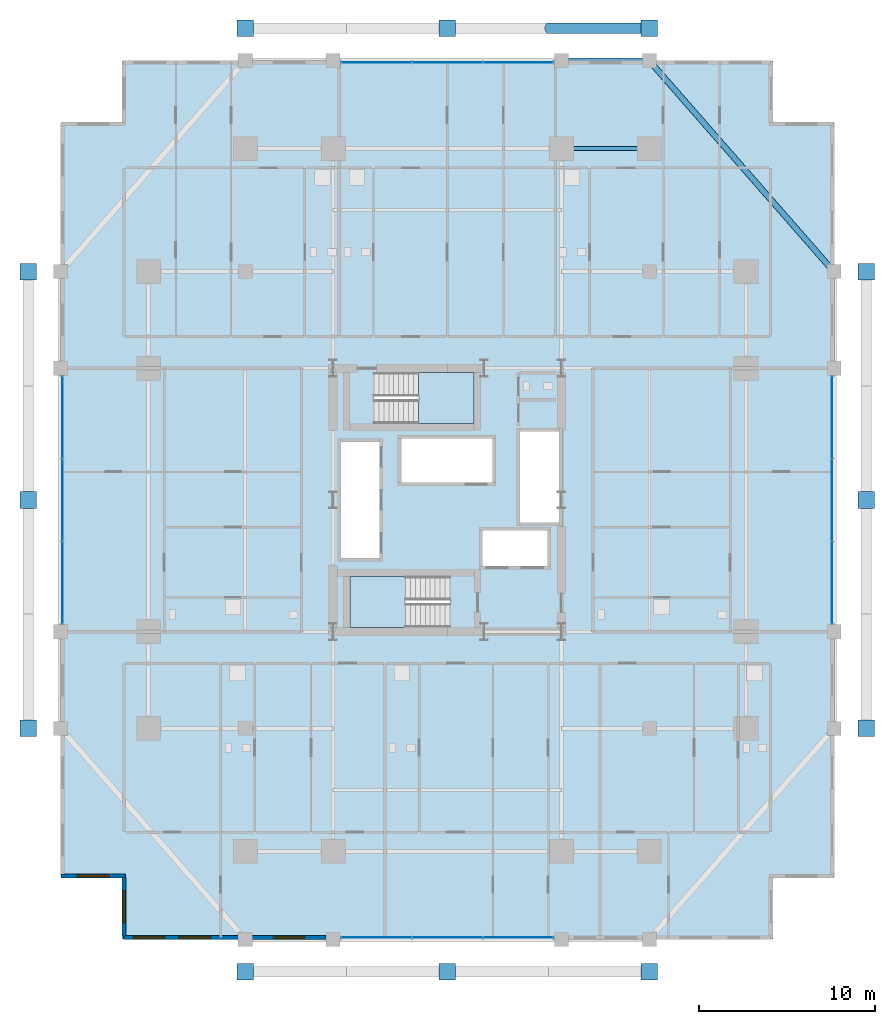
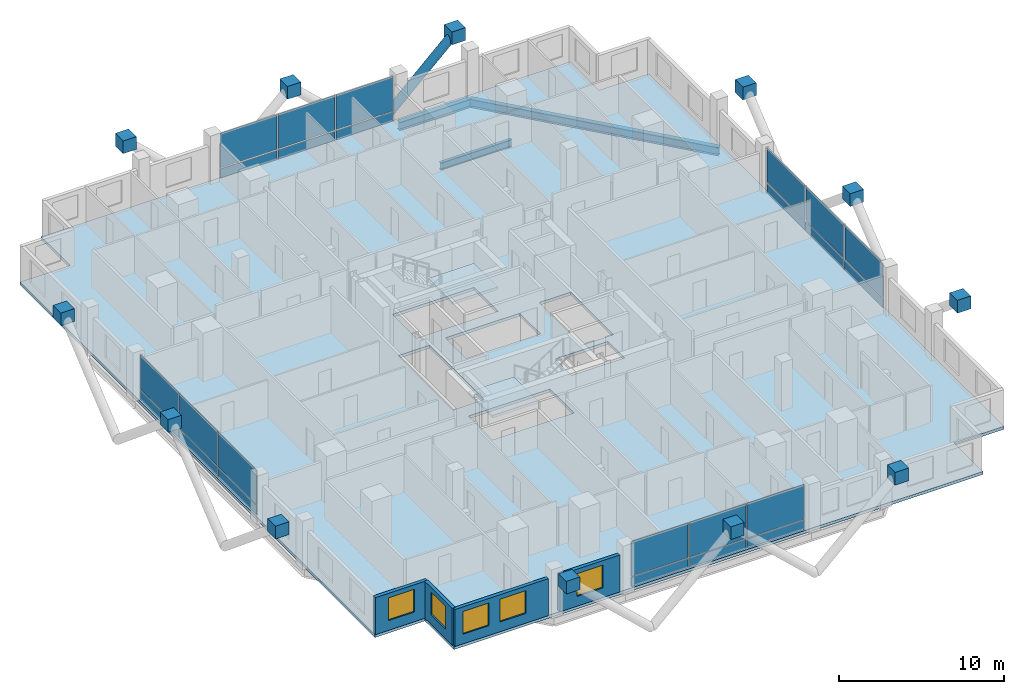
# One storey, part 16 of 24: 36 plates, 5 windows, 4 walls, 3 beams, 3 slabs, 1 member, 5 openings, 6 elements without a shape of their own.
"""IFC4 building model written with IfcOpenShell, lengths in metres."""

from ifc_helpers import new_model, si_unit, direction, frame, frame_2d, origin, origin_2d, place, context, subcontext, project, spatial, polyline, rectangle, hollow_circle, i_section, outline, extrude, material, layer, layer_set, material_profile, profile_set, type_object, element, fill, aggregate, save


model = new_model("IFC4")

# Units and contexts
model_context = context("Model", 3, precision=1e-05, world=origin(), true_north=direction((0.0, 1.0)))
body_context = subcontext(model_context, "Body", "Model", "MODEL_VIEW")
ifc_project = project(units=[si_unit("LENGTHUNIT", "METRE"), si_unit("AREAUNIT", "SQUARE_METRE"), si_unit("VOLUMEUNIT", "CUBIC_METRE"), si_unit("PLANEANGLEUNIT", "RADIAN"), si_unit("MASSUNIT", "GRAM", prefix="KILO")], contexts=[model_context])

# Site, building, storey
site_placement = place(None, origin())
site = spatial("IfcSite", under=ifc_project, at=site_placement, CompositionType="ELEMENT")
building_placement = place(site_placement, origin())
building = spatial("IfcBuilding", under=site, at=building_placement, Name="Barlavira Tower and Art Museum", CompositionType="ELEMENT")
storey_placement = place(building_placement, frame((0.0, 0.0, 46.800048828125)))
storey = spatial("IfcBuildingStorey", under=building, at=storey_placement, Name="L10", CompositionType="ELEMENT", Elevation=46.800048828125)

# Member
ifc_material_1 = material(Name="Steel S355", Category="steel")
ifc_material_profile_1 = material_profile(ifc_material_1, hollow_circle(Radius=0.304931640625, WallThickness=0.028076171875, at=origin_2d()), Name="CHS 610.0x28.0")
ifc_profile_set_1 = profile_set([ifc_material_profile_1], Name="Steel S355")
member_type = type_object("IfcMemberType", Name="Pale-Metal Exoskeleton Diagrid Tube CHS 610x28 Steel S355", PredefinedType="BRACE", material=ifc_profile_set_1)
member_placement = place(storey_placement, frame((5.75, 26.85009765625, -1.920166015625), z_axis=(0.728934650808, 0.0, 0.684583285548), x_axis=(0.0, 1.0, 0.0)))
element("IfcMember", 1, at=member_placement, inside=storey, type_object=member_type, Name="L10 Exoskeleton Diagrid Tube N", PredefinedType="BRACE", context=body_context, shape_type="SweptSolid", body=[
    extrude(hollow_circle(Radius=0.304931640625, WallThickness=0.028076171875, at=origin_2d()), origin(), (0.0, 0.0, 1.0), 7.88818359375),
])

# Beams
ifc_material_profile_2 = material_profile(ifc_material_1, i_section(OverallWidth=0.327880859375, OverallDepth=0.62890625, WebThickness=0.013916015625, FlangeThickness=0.021484375, at=origin_2d()), Name="W610x174.0")
ifc_profile_set_2 = profile_set([ifc_material_profile_2], Name="Steel S355")
beam_type_1 = type_object("IfcBeamType", Name="Perimeter Spandrel Edge Beam W610x174 Steel S355", PredefinedType="SPANDREL", material=ifc_profile_set_2)
beam_1_placement = place(storey_placement, frame((22.0, 13.0, -0.53466796875), z_axis=(-0.658504607869, 0.752576694707, 0.0), x_axis=(-0.752576694707, -0.658504607869, 0.0)))
element("IfcBeam", 2, at=beam_1_placement, inside=storey, type_object=beam_type_1, Name="L10 Spandrel 8", PredefinedType="SPANDREL", context=body_context, shape_type="SweptSolid", body=[
    extrude(i_section(OverallWidth=0.327880859375, OverallDepth=0.62890625, WebThickness=0.013916015625, FlangeThickness=0.021484375, at=origin_2d()), origin(), (0.0, 0.0, 1.0), 15.9453125),
])
beam_2_placement = place(storey_placement, frame((6.5, 25.0, -0.53466796875), z_axis=(1.0, 0.0, 0.0), x_axis=(0.0, 1.0, 0.0)))
element("IfcBeam", 3, at=beam_2_placement, inside=storey, type_object=beam_type_1, Name="L10 Spandrel 9", PredefinedType="SPANDREL", context=body_context, shape_type="SweptSolid", body=[
    extrude(i_section(OverallWidth=0.327880859375, OverallDepth=0.62890625, WebThickness=0.013916015625, FlangeThickness=0.021484375, at=origin_2d()), origin(), (0.0, 0.0, 1.0), 5.0),
])
ifc_material_profile_3 = material_profile(ifc_material_1, i_section(OverallWidth=0.214111328125, OverallDepth=0.549072265625, WebThickness=0.0146484375, FlangeThickness=0.023681640625, at=origin_2d()), Name="W530x138.0")
ifc_profile_set_3 = profile_set([ifc_material_profile_3], Name="Steel S355")
beam_type_2 = type_object("IfcBeamType", Name="Zone 1 Primary Floor Girder W530x138 Steel S355", PredefinedType="BEAM", material=ifc_profile_set_3)
beam_3_placement = place(storey_placement, frame((6.5, 20.0, -0.49462890625), z_axis=(1.0, 0.0, 0.0), x_axis=(0.0, 1.0, 0.0)))
element("IfcBeam", 4, at=beam_3_placement, inside=storey, type_object=beam_type_2, Name="L10 Girder M-N3", PredefinedType="BEAM", context=body_context, shape_type="SweptSolid", body=[
    extrude(i_section(OverallWidth=0.214111328125, OverallDepth=0.549072265625, WebThickness=0.0146484375, FlangeThickness=0.023681640625, at=origin_2d()), origin(), (0.0, 0.0, 1.0), 5.0),
])

# Curtain wall, plates
ifc_material_2 = material(Name="Low-iron coastal laminated glass", Category="glass")
ifc_layer_1 = layer(ifc_material_2, 0.179931640625, Name="Low-iron coastal laminated glass")
ifc_layer_set_1 = layer_set([ifc_layer_1], Name="Low-iron coastal laminated glass")
curtain_wall_type = type_object("IfcCurtainWallType", Name="Pale-Metal Unitised Curtain Wall Zone 1", PredefinedType="NOTDEFINED", material=ifc_layer_set_1)
curtain_wall_1_placement = place(storey_placement, origin())
curtain_wall_1 = element("IfcCurtainWall", 5, at=curtain_wall_1_placement, inside=storey, type_object=curtain_wall_type, Name="L10 Curtain Wall CW1-L10-S-B3", PredefinedType="NOTDEFINED")
ifc_material_3 = material(Name="Pale anodised aluminium", Category="aluminium")
ifc_layer_2 = layer(ifc_material_3, 0.044921875, Name="Pale anodised aluminium")
ifc_layer_set_2 = layer_set([ifc_layer_2], Name="Pale anodised aluminium")
plate_type_1 = type_object("IfcPlateType", Name="Curtain Wall Pale-Metal Spandrel Panel 45", PredefinedType="CURTAIN_PANEL", material=ifc_layer_set_2)
plate_1_placement = place(storey_placement, frame((-4.05322265625, -24.89990234375, 0.0400390625), z_axis=(0.0, 0.0, 1.0), x_axis=(1.0, 0.0, 0.0)))
plate_1 = element("IfcPlate", 6, at=plate_1_placement, type_object=plate_type_1, Name="CW1-L10-S-B3 Spandrel Panel 0", PredefinedType="CURTAIN_PANEL", context=body_context, shape_type="SweptSolid", body=[
    extrude(rectangle(XDim=3.953369140625, YDim=0.044921875, at=origin_2d()), origin(), (0.0, 0.0, 1.0), 0.6640625),
])
plate_2_placement = place(storey_placement, frame((0.0, -24.89990234375, 0.0400390625), z_axis=(0.0, 0.0, 1.0), x_axis=(1.0, 0.0, 0.0)))
plate_2 = element("IfcPlate", 7, at=plate_2_placement, type_object=plate_type_1, Name="CW1-L10-S-B3 Spandrel Panel 1", PredefinedType="CURTAIN_PANEL", context=body_context, shape_type="SweptSolid", body=[
    extrude(rectangle(XDim=3.953369140625, YDim=0.044921875, at=origin_2d()), origin(), (0.0, 0.0, 1.0), 0.6640625),
])
plate_3_placement = place(storey_placement, frame((4.05322265625, -24.89990234375, 0.0400390625), z_axis=(0.0, 0.0, 1.0), x_axis=(1.0, 0.0, 0.0)))
plate_3 = element("IfcPlate", 8, at=plate_3_placement, type_object=plate_type_1, Name="CW1-L10-S-B3 Spandrel Panel 2", PredefinedType="CURTAIN_PANEL", context=body_context, shape_type="SweptSolid", body=[
    extrude(rectangle(XDim=3.953369140625, YDim=0.044921875, at=origin_2d()), origin(), (0.0, 0.0, 1.0), 0.6640625),
])

curtain_wall_2_placement = place(storey_placement, origin())
curtain_wall_2 = element("IfcCurtainWall", 9, at=curtain_wall_2_placement, inside=storey, type_object=curtain_wall_type, Name="L10 Curtain Wall CW1-L10-N-B3", PredefinedType="NOTDEFINED")
plate_4_placement = place(storey_placement, frame((4.05322265625, 24.89990234375, 0.0400390625), z_axis=(0.0, 0.0, 1.0), x_axis=(-1.0, 0.0, 0.0)))
plate_4 = element("IfcPlate", 10, at=plate_4_placement, type_object=plate_type_1, Name="CW1-L10-N-B3 Spandrel Panel 0", PredefinedType="CURTAIN_PANEL", context=body_context, shape_type="SweptSolid", body=[
    extrude(rectangle(XDim=3.953369140625, YDim=0.044921875, at=origin_2d()), origin(), (0.0, 0.0, 1.0), 0.6640625),
])
plate_5_placement = place(storey_placement, frame((0.0, 24.89990234375, 0.0400390625), z_axis=(0.0, 0.0, 1.0), x_axis=(-1.0, 0.0, 0.0)))
plate_5 = element("IfcPlate", 11, at=plate_5_placement, type_object=plate_type_1, Name="CW1-L10-N-B3 Spandrel Panel 1", PredefinedType="CURTAIN_PANEL", context=body_context, shape_type="SweptSolid", body=[
    extrude(rectangle(XDim=3.953369140625, YDim=0.044921875, at=origin_2d()), origin(), (0.0, 0.0, 1.0), 0.6640625),
])
plate_6_placement = place(storey_placement, frame((-4.05322265625, 24.89990234375, 0.0400390625), z_axis=(0.0, 0.0, 1.0), x_axis=(-1.0, 0.0, 0.0)))
plate_6 = element("IfcPlate", 12, at=plate_6_placement, type_object=plate_type_1, Name="CW1-L10-N-B3 Spandrel Panel 2", PredefinedType="CURTAIN_PANEL", context=body_context, shape_type="SweptSolid", body=[
    extrude(rectangle(XDim=3.953369140625, YDim=0.044921875, at=origin_2d()), origin(), (0.0, 0.0, 1.0), 0.6640625),
])

curtain_wall_3_placement = place(storey_placement, origin())
curtain_wall_3 = element("IfcCurtainWall", 13, at=curtain_wall_3_placement, inside=storey, type_object=curtain_wall_type, Name="L10 Curtain Wall CW1-L10-W-B3", PredefinedType="NOTDEFINED")
plate_7_placement = place(storey_placement, frame((-21.89990234375, 4.719970703125, 0.0400390625), z_axis=(0.0, 0.0, 1.0), x_axis=(0.0, -1.0, 0.0)))
plate_7 = element("IfcPlate", 14, at=plate_7_placement, type_object=plate_type_1, Name="CW1-L10-W-B3 Spandrel Panel 0", PredefinedType="CURTAIN_PANEL", context=body_context, shape_type="SweptSolid", body=[
    extrude(rectangle(XDim=4.6201171875, YDim=0.044921875, at=origin_2d()), origin(), (0.0, 0.0, 1.0), 0.6640625),
])
plate_8_placement = place(storey_placement, frame((-21.89990234375, 0.0, 0.0400390625), z_axis=(0.0, 0.0, 1.0), x_axis=(0.0, -1.0, 0.0)))
plate_8 = element("IfcPlate", 15, at=plate_8_placement, type_object=plate_type_1, Name="CW1-L10-W-B3 Spandrel Panel 1", PredefinedType="CURTAIN_PANEL", context=body_context, shape_type="SweptSolid", body=[
    extrude(rectangle(XDim=4.6201171875, YDim=0.044921875, at=origin_2d()), origin(), (0.0, 0.0, 1.0), 0.6640625),
])
plate_9_placement = place(storey_placement, frame((-21.89990234375, -4.719970703125, 0.0400390625), z_axis=(0.0, 0.0, 1.0), x_axis=(0.0, -1.0, 0.0)))
plate_9 = element("IfcPlate", 16, at=plate_9_placement, type_object=plate_type_1, Name="CW1-L10-W-B3 Spandrel Panel 2", PredefinedType="CURTAIN_PANEL", context=body_context, shape_type="SweptSolid", body=[
    extrude(rectangle(XDim=4.6201171875, YDim=0.044921875, at=origin_2d()), origin(), (0.0, 0.0, 1.0), 0.6640625),
])

curtain_wall_4_placement = place(storey_placement, origin())
curtain_wall_4 = element("IfcCurtainWall", 17, at=curtain_wall_4_placement, inside=storey, type_object=curtain_wall_type, Name="L10 Curtain Wall CW1-L10-E-B3", PredefinedType="NOTDEFINED")
plate_10_placement = place(storey_placement, frame((21.89990234375, -4.719970703125, 0.0400390625), z_axis=(0.0, 0.0, 1.0), x_axis=(0.0, 1.0, 0.0)))
plate_10 = element("IfcPlate", 18, at=plate_10_placement, type_object=plate_type_1, Name="CW1-L10-E-B3 Spandrel Panel 0", PredefinedType="CURTAIN_PANEL", context=body_context, shape_type="SweptSolid", body=[
    extrude(rectangle(XDim=4.6201171875, YDim=0.044921875, at=origin_2d()), origin(), (0.0, 0.0, 1.0), 0.6640625),
])
plate_11_placement = place(storey_placement, frame((21.89990234375, 0.0, 0.0400390625), z_axis=(0.0, 0.0, 1.0), x_axis=(0.0, 1.0, 0.0)))
plate_11 = element("IfcPlate", 19, at=plate_11_placement, type_object=plate_type_1, Name="CW1-L10-E-B3 Spandrel Panel 1", PredefinedType="CURTAIN_PANEL", context=body_context, shape_type="SweptSolid", body=[
    extrude(rectangle(XDim=4.6201171875, YDim=0.044921875, at=origin_2d()), origin(), (0.0, 0.0, 1.0), 0.6640625),
])
plate_12_placement = place(storey_placement, frame((21.89990234375, 4.719970703125, 0.0400390625), z_axis=(0.0, 0.0, 1.0), x_axis=(0.0, 1.0, 0.0)))
plate_12 = element("IfcPlate", 20, at=plate_12_placement, type_object=plate_type_1, Name="CW1-L10-E-B3 Spandrel Panel 2", PredefinedType="CURTAIN_PANEL", context=body_context, shape_type="SweptSolid", body=[
    extrude(rectangle(XDim=4.6201171875, YDim=0.044921875, at=origin_2d()), origin(), (0.0, 0.0, 1.0), 0.6640625),
])

# Plate
ifc_layer_3 = layer(ifc_material_2, 0.028076171875, Name="Low-iron coastal laminated glass")
ifc_layer_set_3 = layer_set([ifc_layer_3], Name="Low-iron coastal laminated glass")
plate_type_2 = type_object("IfcPlateType", Name="Curtain Wall Vision Glazing Panel 28", PredefinedType="CURTAIN_PANEL", material=ifc_layer_set_3)
plate_13_placement = place(storey_placement, frame((-4.05322265625, -24.89990234375, 0.7841796875), z_axis=(0.0, 0.0, 1.0), x_axis=(1.0, 0.0, 0.0)))
plate_13 = element("IfcPlate", 21, at=plate_13_placement, type_object=plate_type_2, Name="CW1-L10-S-B3 Vision Glass Panel 0", PredefinedType="CURTAIN_PANEL", context=body_context, shape_type="SweptSolid", body=[
    extrude(rectangle(XDim=3.953369140625, YDim=0.028076171875, at=origin_2d()), origin(), (0.0, 0.0, 1.0), 2.555908203125),
])

plate_14_placement = place(storey_placement, frame((0.0, -24.89990234375, 0.7841796875), z_axis=(0.0, 0.0, 1.0), x_axis=(1.0, 0.0, 0.0)))
plate_14 = element("IfcPlate", 22, at=plate_14_placement, type_object=plate_type_2, Name="CW1-L10-S-B3 Vision Glass Panel 1", PredefinedType="CURTAIN_PANEL", context=body_context, shape_type="SweptSolid", body=[
    extrude(rectangle(XDim=3.953369140625, YDim=0.028076171875, at=origin_2d()), origin(), (0.0, 0.0, 1.0), 2.555908203125),
])

plate_15_placement = place(storey_placement, frame((4.05322265625, -24.89990234375, 0.7841796875), z_axis=(0.0, 0.0, 1.0), x_axis=(1.0, 0.0, 0.0)))
plate_15 = element("IfcPlate", 23, at=plate_15_placement, type_object=plate_type_2, Name="CW1-L10-S-B3 Vision Glass Panel 2", PredefinedType="CURTAIN_PANEL", context=body_context, shape_type="SweptSolid", body=[
    extrude(rectangle(XDim=3.953369140625, YDim=0.028076171875, at=origin_2d()), origin(), (0.0, 0.0, 1.0), 2.555908203125),
])

aggregate(curtain_wall_1, [plate_1, plate_13, plate_2, plate_14, plate_3, plate_15])

plate_16_placement = place(storey_placement, frame((4.05322265625, 24.89990234375, 0.7841796875), z_axis=(0.0, 0.0, 1.0), x_axis=(-1.0, 0.0, 0.0)))
plate_16 = element("IfcPlate", 24, at=plate_16_placement, type_object=plate_type_2, Name="CW1-L10-N-B3 Vision Glass Panel 0", PredefinedType="CURTAIN_PANEL", context=body_context, shape_type="SweptSolid", body=[
    extrude(rectangle(XDim=3.953369140625, YDim=0.028076171875, at=origin_2d()), origin(), (0.0, 0.0, 1.0), 2.555908203125),
])

plate_17_placement = place(storey_placement, frame((0.0, 24.89990234375, 0.7841796875), z_axis=(0.0, 0.0, 1.0), x_axis=(-1.0, 0.0, 0.0)))
plate_17 = element("IfcPlate", 25, at=plate_17_placement, type_object=plate_type_2, Name="CW1-L10-N-B3 Vision Glass Panel 1", PredefinedType="CURTAIN_PANEL", context=body_context, shape_type="SweptSolid", body=[
    extrude(rectangle(XDim=3.953369140625, YDim=0.028076171875, at=origin_2d()), origin(), (0.0, 0.0, 1.0), 2.555908203125),
])

plate_18_placement = place(storey_placement, frame((-4.05322265625, 24.89990234375, 0.7841796875), z_axis=(0.0, 0.0, 1.0), x_axis=(-1.0, 0.0, 0.0)))
plate_18 = element("IfcPlate", 26, at=plate_18_placement, type_object=plate_type_2, Name="CW1-L10-N-B3 Vision Glass Panel 2", PredefinedType="CURTAIN_PANEL", context=body_context, shape_type="SweptSolid", body=[
    extrude(rectangle(XDim=3.953369140625, YDim=0.028076171875, at=origin_2d()), origin(), (0.0, 0.0, 1.0), 2.555908203125),
])

aggregate(curtain_wall_2, [plate_4, plate_16, plate_5, plate_17, plate_6, plate_18])

plate_19_placement = place(storey_placement, frame((-21.89990234375, 4.719970703125, 0.7841796875), z_axis=(0.0, 0.0, 1.0), x_axis=(0.0, -1.0, 0.0)))
plate_19 = element("IfcPlate", 27, at=plate_19_placement, type_object=plate_type_2, Name="CW1-L10-W-B3 Vision Glass Panel 0", PredefinedType="CURTAIN_PANEL", context=body_context, shape_type="SweptSolid", body=[
    extrude(rectangle(XDim=4.6201171875, YDim=0.028076171875, at=origin_2d()), origin(), (0.0, 0.0, 1.0), 2.555908203125),
])

plate_20_placement = place(storey_placement, frame((-21.89990234375, 0.0, 0.7841796875), z_axis=(0.0, 0.0, 1.0), x_axis=(0.0, -1.0, 0.0)))
plate_20 = element("IfcPlate", 28, at=plate_20_placement, type_object=plate_type_2, Name="CW1-L10-W-B3 Vision Glass Panel 1", PredefinedType="CURTAIN_PANEL", context=body_context, shape_type="SweptSolid", body=[
    extrude(rectangle(XDim=4.6201171875, YDim=0.028076171875, at=origin_2d()), origin(), (0.0, 0.0, 1.0), 2.555908203125),
])

plate_21_placement = place(storey_placement, frame((-21.89990234375, -4.719970703125, 0.7841796875), z_axis=(0.0, 0.0, 1.0), x_axis=(0.0, -1.0, 0.0)))
plate_21 = element("IfcPlate", 29, at=plate_21_placement, type_object=plate_type_2, Name="CW1-L10-W-B3 Vision Glass Panel 2", PredefinedType="CURTAIN_PANEL", context=body_context, shape_type="SweptSolid", body=[
    extrude(rectangle(XDim=4.6201171875, YDim=0.028076171875, at=origin_2d()), origin(), (0.0, 0.0, 1.0), 2.555908203125),
])

aggregate(curtain_wall_3, [plate_7, plate_19, plate_8, plate_20, plate_9, plate_21])

plate_22_placement = place(storey_placement, frame((21.89990234375, -4.719970703125, 0.7841796875), z_axis=(0.0, 0.0, 1.0), x_axis=(0.0, 1.0, 0.0)))
plate_22 = element("IfcPlate", 30, at=plate_22_placement, type_object=plate_type_2, Name="CW1-L10-E-B3 Vision Glass Panel 0", PredefinedType="CURTAIN_PANEL", context=body_context, shape_type="SweptSolid", body=[
    extrude(rectangle(XDim=4.6201171875, YDim=0.028076171875, at=origin_2d()), origin(), (0.0, 0.0, 1.0), 2.555908203125),
])

plate_23_placement = place(storey_placement, frame((21.89990234375, 0.0, 0.7841796875), z_axis=(0.0, 0.0, 1.0), x_axis=(0.0, 1.0, 0.0)))
plate_23 = element("IfcPlate", 31, at=plate_23_placement, type_object=plate_type_2, Name="CW1-L10-E-B3 Vision Glass Panel 1", PredefinedType="CURTAIN_PANEL", context=body_context, shape_type="SweptSolid", body=[
    extrude(rectangle(XDim=4.6201171875, YDim=0.028076171875, at=origin_2d()), origin(), (0.0, 0.0, 1.0), 2.555908203125),
])

plate_24_placement = place(storey_placement, frame((21.89990234375, 4.719970703125, 0.7841796875), z_axis=(0.0, 0.0, 1.0), x_axis=(0.0, 1.0, 0.0)))
plate_24 = element("IfcPlate", 32, at=plate_24_placement, type_object=plate_type_2, Name="CW1-L10-E-B3 Vision Glass Panel 2", PredefinedType="CURTAIN_PANEL", context=body_context, shape_type="SweptSolid", body=[
    extrude(rectangle(XDim=4.6201171875, YDim=0.028076171875, at=origin_2d()), origin(), (0.0, 0.0, 1.0), 2.555908203125),
])

aggregate(curtain_wall_4, [plate_10, plate_22, plate_11, plate_23, plate_12, plate_24])

# Plates
ifc_layer_4 = layer(ifc_material_1, 0.93994140625, Name="Steel S355")
ifc_layer_set_4 = layer_set([ifc_layer_4], Name="Steel S355")
plate_type_3 = type_object("IfcPlateType", Name="Exoskeleton Solid Steel Node Cap Plate Assembly Type 1 Steel S355", PredefinedType="USERDEFINED", material=ifc_layer_set_4)
for number, where, z_axis, x_axis, name in (
    (33, (-11.5, -26.85009765625, 3.010009765625), (0.0, 0.0, 1.0), (1.0, 0.0, 0.0), "Exoskeleton Node S ND-L10-0045"),
    (34, (0.0, -26.85009765625, 3.010009765625), (0.0, 0.0, 1.0), (1.0, 0.0, 0.0), "Exoskeleton Node S ND-L10-0046"),
    (35, (11.5, -26.85009765625, 3.010009765625), (0.0, 0.0, 1.0), (1.0, 0.0, 0.0), "Exoskeleton Node S ND-L10-0047"),
    (36, (-11.5, 26.85009765625, 3.010009765625), (0.0, 0.0, 1.0), (1.0, 0.0, 0.0), "Exoskeleton Node N ND-L10-0053"),
    (37, (0.0, 26.85009765625, 3.010009765625), (0.0, 0.0, 1.0), (1.0, 0.0, 0.0), "Exoskeleton Node N ND-L10-0054"),
    (38, (11.5, 26.85009765625, 3.010009765625), (0.0, 0.0, 1.0), (1.0, 0.0, 0.0), "Exoskeleton Node N ND-L10-0055"),
    (39, (-23.85009765625, -13.0, 3.010009765625), (0.0, 0.0, 1.0), (1.0, 0.0, 0.0), "Exoskeleton Node W ND-L10-0061"),
    (40, (-23.85009765625, 0.0, 3.010009765625), (0.0, 0.0, 1.0), (1.0, 0.0, 0.0), "Exoskeleton Node W ND-L10-0062"),
    (41, (-23.85009765625, 13.0, 3.010009765625), (0.0, 0.0, 1.0), (1.0, 0.0, 0.0), "Exoskeleton Node W ND-L10-0063"),
    (42, (23.85009765625, -13.0, 3.010009765625), (0.0, 0.0, 1.0), (1.0, 0.0, 0.0), "Exoskeleton Node E ND-L10-0069"),
    (43, (23.85009765625, 0.0, 3.010009765625), (0.0, 0.0, 1.0), (1.0, 0.0, 0.0), "Exoskeleton Node E ND-L10-0070"),
    (44, (23.85009765625, 13.0, 3.010009765625), (0.0, 0.0, 1.0), (1.0, 0.0, 0.0), "Exoskeleton Node E ND-L10-0071"),
):
    element("IfcPlate", number, at=place(storey_placement, frame(where, z_axis=z_axis, x_axis=x_axis)), inside=storey, type_object=plate_type_3, Name=name, ObjectType="FLANGE_PLATE", PredefinedType="USERDEFINED", context=body_context, shape_type="SweptSolid", body=[
        extrude(rectangle(XDim=0.93994140625, YDim=0.93994140625, at=origin_2d()), origin(), (0.0, 0.0, 1.0), 0.93994140625),
    ])

# Stair, slab
ifc_material_4 = material(Name="Concrete C45", Category="concrete")
stair_type_1 = type_object("IfcStairType", Name="Tower North Dog-Leg Exit Stair Assembly Concrete C45", PredefinedType="TWO_QUARTER_TURN_STAIR", material=ifc_material_4)
stair_1_placement = place(storey_placement, origin())
stair_1 = element("IfcStair", 45, at=stair_1_placement, inside=storey, type_object=stair_type_1, Name="L10 Tower North Exit Stair ST-T2", PredefinedType="TWO_QUARTER_TURN_STAIR")
ifc_layer_5 = layer(ifc_material_4, 0.199951171875, Name="Concrete C45")
ifc_layer_set_5 = layer_set([ifc_layer_5], Name="Concrete C45")
slab_type_1 = type_object("IfcSlabType", Name="Tower North Dog-Leg Exit Stair Half-Landing Slab 200 Concrete C45", PredefinedType="LANDING", material=ifc_layer_set_5)
slab_1_placement = place(storey_placement, frame((0.0, 0.0, 1.599853515625)))
slab_1 = element("IfcSlab", 46, at=slab_1_placement, type_object=slab_type_1, Name="ST-T2 landing 1", PredefinedType="LANDING", context=body_context, shape_type="SweptSolid", body=[
    extrude(outline(polyline([(-1.64990234375, 4.35009765625), (1.530029296875, 4.35009765625), (1.530029296875, 7.25), (-1.64990234375, 7.25), (-1.64990234375, 4.35009765625)])), origin(), (0.0, 0.0, 1.0), 0.2001953125),
])
aggregate(stair_1, [slab_1])

stair_type_2 = type_object("IfcStairType", Name="Tower South Dog-Leg Exit Stair Assembly Concrete C45", PredefinedType="TWO_QUARTER_TURN_STAIR", material=ifc_material_4)
stair_2_placement = place(storey_placement, origin())
stair_2 = element("IfcStair", 47, at=stair_2_placement, inside=storey, type_object=stair_type_2, Name="L10 Tower South Exit Stair ST-T1", PredefinedType="TWO_QUARTER_TURN_STAIR")
ifc_layer_6 = layer(ifc_material_4, 0.199951171875, Name="Concrete C45")
ifc_layer_set_6 = layer_set([ifc_layer_6], Name="Concrete C45")
slab_type_2 = type_object("IfcSlabType", Name="Tower South Dog-Leg Exit Stair Half-Landing Slab 200 Concrete C45", PredefinedType="LANDING", material=ifc_layer_set_6)
slab_2_placement = place(storey_placement, frame((0.0, 0.0, 1.599853515625)))
slab_2 = element("IfcSlab", 48, at=slab_2_placement, type_object=slab_type_2, Name="ST-T1 landing 1", PredefinedType="LANDING", context=body_context, shape_type="SweptSolid", body=[
    extrude(outline(polyline([(-2.3701171875, -4.35009765625), (-5.550048828125, -4.35009765625), (-5.550048828125, -7.25), (-2.3701171875, -7.25), (-2.3701171875, -4.35009765625)])), origin(), (0.0, 0.0, 1.0), 0.2001953125),
])
aggregate(stair_2, [slab_2])

# Slab
ifc_material_5 = material(Name="Concrete C50", Category="concrete")
ifc_layer_7 = layer(ifc_material_5, 0.219970703125, Name="Concrete C50")
ifc_layer_set_7 = layer_set([ifc_layer_7], Name="Concrete C50")
slab_type_3 = type_object("IfcSlabType", Name="Zone 1 Residential Composite Slab 220 Concrete C50", PredefinedType="FLOOR", material=ifc_layer_set_7)
slab_3_placement = place(storey_placement, frame((0.0, 0.0, -0.219970703125)))
element("IfcSlab", 49, at=slab_3_placement, inside=storey, type_object=slab_type_3, Name="L10 Tower Floor Slab", PredefinedType="FLOOR", context=body_context, shape_type="SweptSolid", body=[
    extrude(outline(polyline([(-18.5, -25.0), (18.5, -25.0), (18.5, -21.5), (22.0, -21.5), (22.0, 21.5), (18.5, 21.5), (18.5, 25.0), (-18.5, 25.0), (-18.5, 21.5), (-22.0, 21.5), (-22.0, -21.5), (-18.5, -21.5), (-18.5, -25.0)]), holes=[polyline([(0.14990234375, -4.35009765625), (-5.550048828125, -4.35009765625), (-5.550048828125, -7.25), (0.14990234375, -7.25), (0.14990234375, -4.35009765625)]), polyline([(-4.169921875, 4.35009765625), (1.530029296875, 4.35009765625), (1.530029296875, 7.25), (-4.169921875, 7.25), (-4.169921875, 4.35009765625)]), polyline([(-6.050048828125, -3.31005859375), (-3.85009765625, -3.31005859375), (-3.85009765625, 3.31005859375), (-6.050048828125, 3.31005859375), (-6.050048828125, -3.31005859375)]), polyline([(4.14990234375, -1.2900390625), (6.35009765625, -1.2900390625), (6.35009765625, 3.889892578125), (4.14990234375, 3.889892578125), (4.14990234375, -1.2900390625)]), polyline([(-2.6201171875, 1.0), (2.56005859375, 1.0), (2.56005859375, 3.5), (-2.6201171875, 3.5), (-2.6201171875, 1.0)]), polyline([(2.0, -3.75), (5.699951171875, -3.75), (5.699951171875, -1.75), (2.0, -1.75), (2.0, -3.75)])]), origin(), (0.0, 0.0, 1.0), 0.219970703125),
])

# Wall, openings, windows
ifc_material_6 = material(Name="Precast concrete C40", Category="concrete")
ifc_layer_8 = layer(ifc_material_6, 0.25, Name="Precast concrete C40")
ifc_layer_set_8 = layer_set([ifc_layer_8], Name="Precast concrete C40")
wall_type = type_object("IfcWallType", Name="Notched Corner Spandrel Wall 250 Precast Concrete C40", PredefinedType="SOLIDWALL", material=ifc_layer_set_8)
wall_1_placement = place(storey_placement, frame((-18.425048828125, -24.89990234375, 0.0), z_axis=(0.0, 0.0, 1.0), x_axis=(1.0, 0.0, 0.0)))
wall_1 = element("IfcWall", 50, at=wall_1_placement, inside=storey, type_object=wall_type, Name="L10 Coastal Facade Pier Wall CW1-L10-S-1", PredefinedType="SOLIDWALL", context=body_context, shape_type="SweptSolid", body=[
    extrude(rectangle(XDim=6.530029296875, YDim=0.25, at=frame_2d((3.26513671875, 0.0))), origin(), (0.0, 0.0, 1.0), 2.73583984375),
])
opening_1_placement = place(wall_1_placement, frame((0.555908203125, 0.0, 0.719970703125)))
opening_1 = element("IfcOpeningElement", 51, at=opening_1_placement, cuts=wall_1, Name="Opening WN-01", PredefinedType="OPENING", context=body_context, shape_type="SweptSolid", body=[
    extrude(rectangle(XDim=1.800048828125, YDim=1.679931640625, at=frame_2d((0.89990234375, 0.83984375))), frame((0.0, 0.135009765625, 0.0), z_axis=(0.0, -1.0, 0.0), x_axis=(1.0, 0.0, 0.0)), (0.0, 0.0, 1.0), 0.27001953125),
])
opening_2_placement = place(wall_1_placement, frame((3.14892578125, 0.0, 0.719970703125)))
opening_2 = element("IfcOpeningElement", 52, at=opening_2_placement, cuts=wall_1, Name="Opening WN-01", PredefinedType="OPENING", context=body_context, shape_type="SweptSolid", body=[
    extrude(rectangle(XDim=1.800048828125, YDim=1.679931640625, at=frame_2d((0.89990234375, 0.83984375))), frame((0.0, 0.135009765625, 0.0), z_axis=(0.0, -1.0, 0.0), x_axis=(1.0, 0.0, 0.0)), (0.0, 0.0, 1.0), 0.27001953125),
])
window_type = type_object("IfcWindowType", Name="Recessed Notch Corner Punch Window 1800x1680", PartitioningType="SINGLE_PANEL", PredefinedType="WINDOW", material=ifc_material_2)
window_1_placement = place(opening_1_placement, origin())
window_1 = element("IfcWindow", 53, at=window_1_placement, inside=storey, type_object=window_type, Name="L10 Punched Facade Window EWP-CW1-L10-S-1-1", OverallHeight=1.679931640625, OverallWidth=1.800048828125, PartitioningType="SINGLE_PANEL", PredefinedType="WINDOW", context=body_context, shape_type="SweptSolid", body=[
    extrude(rectangle(XDim=1.800048828125, YDim=1.679931640625, at=frame_2d((0.89990234375, 0.83984375))), frame((0.0, 0.030029296875, 0.0), z_axis=(0.0, -1.0, 0.0), x_axis=(1.0, 0.0, 0.0)), (0.0, 0.0, 1.0), 0.06005859375),
])
fill(opening_1, window_1)
window_2_placement = place(opening_2_placement, origin())
window_2 = element("IfcWindow", 54, at=window_2_placement, inside=storey, type_object=window_type, Name="L10 Punched Facade Window EWP-CW1-L10-S-1-2", OverallHeight=1.679931640625, OverallWidth=1.800048828125, PartitioningType="SINGLE_PANEL", PredefinedType="WINDOW", context=body_context, shape_type="SweptSolid", body=[
    extrude(rectangle(XDim=1.800048828125, YDim=1.679931640625, at=frame_2d((0.89990234375, 0.83984375))), frame((0.0, 0.030029296875, 0.0), z_axis=(0.0, -1.0, 0.0), x_axis=(1.0, 0.0, 0.0)), (0.0, 0.0, 1.0), 0.06005859375),
])
fill(opening_2, window_2)

# Wall, opening, window
wall_2_placement = place(storey_placement, frame((-11.10498046875, -24.89990234375, 0.0), z_axis=(0.0, 0.0, 1.0), x_axis=(1.0, 0.0, 0.0)))
wall_2 = element("IfcWall", 55, at=wall_2_placement, inside=storey, type_object=wall_type, Name="L10 Coastal Facade Pier Wall CW1-L10-S-2", PredefinedType="SOLIDWALL", context=body_context, shape_type="SweptSolid", body=[
    extrude(rectangle(XDim=4.2099609375, YDim=0.25, at=frame_2d((2.10498046875, 0.0))), origin(), (0.0, 0.0, 1.0), 2.73583984375),
])
opening_3_placement = place(wall_2_placement, frame((1.205078125, 0.0, 0.719970703125)))
opening_3 = element("IfcOpeningElement", 56, at=opening_3_placement, cuts=wall_2, Name="Opening WN-01", PredefinedType="OPENING", context=body_context, shape_type="SweptSolid", body=[
    extrude(rectangle(XDim=1.800048828125, YDim=1.679931640625, at=frame_2d((0.89990234375, 0.83984375))), frame((0.0, 0.135009765625, 0.0), z_axis=(0.0, -1.0, 0.0), x_axis=(1.0, 0.0, 0.0)), (0.0, 0.0, 1.0), 0.27001953125),
])
window_3_placement = place(opening_3_placement, origin())
window_3 = element("IfcWindow", 57, at=window_3_placement, inside=storey, type_object=window_type, Name="L10 Punched Facade Window EWP-CW1-L10-S-2-1", OverallHeight=1.679931640625, OverallWidth=1.800048828125, PartitioningType="SINGLE_PANEL", PredefinedType="WINDOW", context=body_context, shape_type="SweptSolid", body=[
    extrude(rectangle(XDim=1.800048828125, YDim=1.679931640625, at=frame_2d((0.89990234375, 0.83984375))), frame((0.0, 0.030029296875, 0.0), z_axis=(0.0, -1.0, 0.0), x_axis=(1.0, 0.0, 0.0)), (0.0, 0.0, 1.0), 0.06005859375),
])
fill(opening_3, window_3)

wall_3_placement = place(storey_placement, frame((-21.97998046875, -21.39990234375, 0.0), z_axis=(0.0, 0.0, 1.0), x_axis=(1.0, 0.0, 0.0)))
wall_3 = element("IfcWall", 58, at=wall_3_placement, inside=storey, type_object=wall_type, Name="L10 Notch Corner Wall SW1", PredefinedType="SOLIDWALL", context=body_context, shape_type="SweptSolid", body=[
    extrude(rectangle(XDim=3.659912109375, YDim=0.25, at=frame_2d((1.830078125, 0.0))), origin(), (0.0, 0.0, 1.0), 2.73583984375),
])
opening_4_placement = place(wall_3_placement, frame((0.929931640625, 0.0, 0.719970703125)))
opening_4 = element("IfcOpeningElement", 59, at=opening_4_placement, cuts=wall_3, Name="Opening WN-01", PredefinedType="OPENING", context=body_context, shape_type="SweptSolid", body=[
    extrude(rectangle(XDim=1.800048828125, YDim=1.679931640625, at=frame_2d((0.89990234375, 0.83984375))), frame((0.0, 0.135009765625, 0.0), z_axis=(0.0, -1.0, 0.0), x_axis=(1.0, 0.0, 0.0)), (0.0, 0.0, 1.0), 0.27001953125),
])
window_4_placement = place(opening_4_placement, origin())
window_4 = element("IfcWindow", 60, at=window_4_placement, inside=storey, type_object=window_type, Name="L10 Punched Facade Window EW-NTC-L10-SW1-1", OverallHeight=1.679931640625, OverallWidth=1.800048828125, PartitioningType="SINGLE_PANEL", PredefinedType="WINDOW", context=body_context, shape_type="SweptSolid", body=[
    extrude(rectangle(XDim=1.800048828125, YDim=1.679931640625, at=frame_2d((0.89990234375, 0.83984375))), frame((0.0, 0.030029296875, 0.0), z_axis=(0.0, -1.0, 0.0), x_axis=(1.0, 0.0, 0.0)), (0.0, 0.0, 1.0), 0.06005859375),
])
fill(opening_4, window_4)

wall_4_placement = place(storey_placement, frame((-18.39990234375, -21.47998046875, 0.0), z_axis=(0.0, 0.0, 1.0), x_axis=(0.0, -1.0, 0.0)))
wall_4 = element("IfcWall", 61, at=wall_4_placement, inside=storey, type_object=wall_type, Name="L10 Notch Corner Wall SW2", PredefinedType="SOLIDWALL", context=body_context, shape_type="SweptSolid", body=[
    extrude(rectangle(XDim=3.340087890625, YDim=0.25, at=frame_2d((1.669921875, 0.0))), origin(), (0.0, 0.0, 1.0), 2.73583984375),
])
opening_5_placement = place(wall_4_placement, frame((0.77001953125, 0.0, 0.719970703125)))
opening_5 = element("IfcOpeningElement", 62, at=opening_5_placement, cuts=wall_4, Name="Opening WN-01", PredefinedType="OPENING", context=body_context, shape_type="SweptSolid", body=[
    extrude(rectangle(XDim=1.800048828125, YDim=1.679931640625, at=frame_2d((0.89990234375, 0.83984375))), frame((0.0, 0.135009765625, 0.0), z_axis=(0.0, -1.0, 0.0), x_axis=(1.0, 0.0, 0.0)), (0.0, 0.0, 1.0), 0.27001953125),
])
window_5_placement = place(opening_5_placement, origin())
window_5 = element("IfcWindow", 63, at=window_5_placement, inside=storey, type_object=window_type, Name="L10 Punched Facade Window EW-NTC-L10-SW2-1", OverallHeight=1.679931640625, OverallWidth=1.800048828125, PartitioningType="SINGLE_PANEL", PredefinedType="WINDOW", context=body_context, shape_type="SweptSolid", body=[
    extrude(rectangle(XDim=1.800048828125, YDim=1.679931640625, at=frame_2d((0.89990234375, 0.83984375))), frame((0.0, 0.030029296875, 0.0), z_axis=(0.0, -1.0, 0.0), x_axis=(1.0, 0.0, 0.0)), (0.0, 0.0, 1.0), 0.06005859375),
])
fill(opening_5, window_5)

save(model, "model.ifc")
